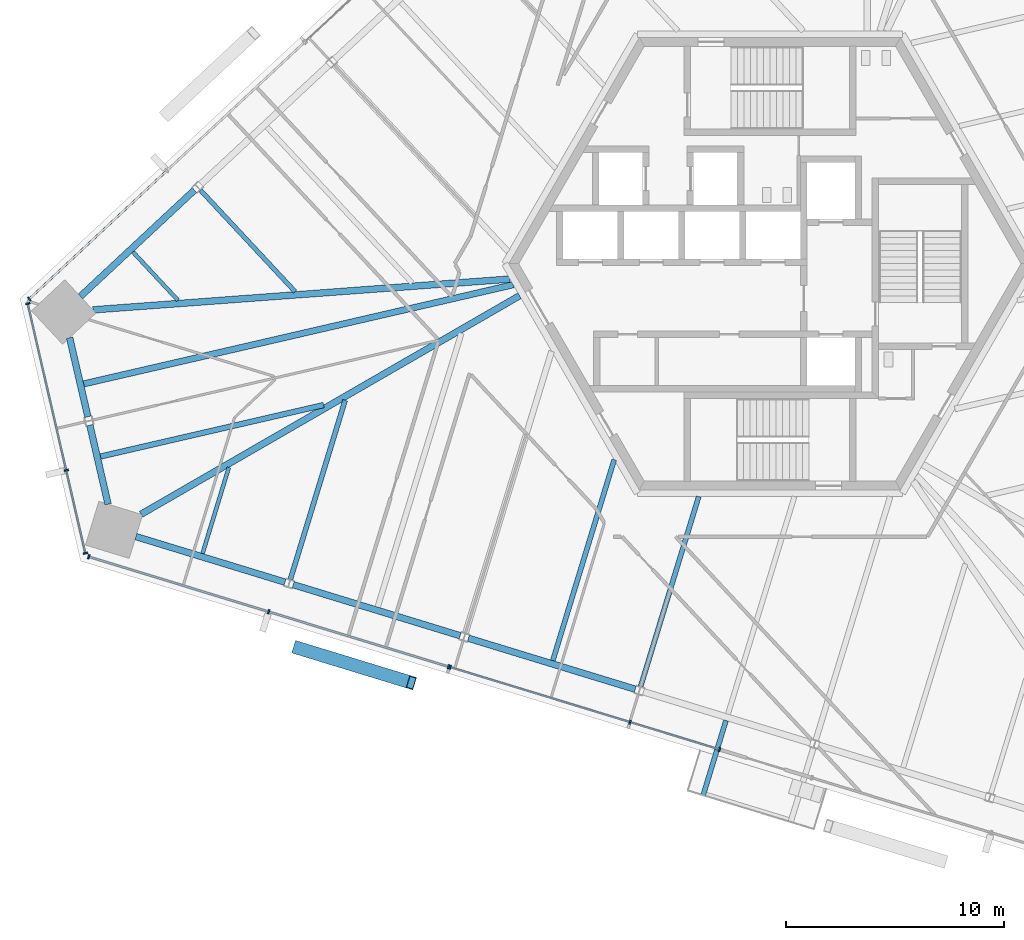
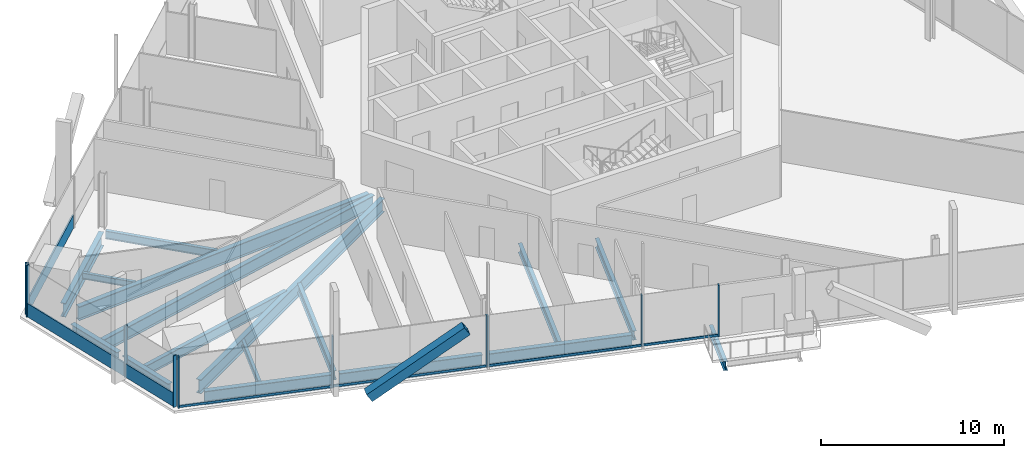
# One storey, part 4 of 23: 18 members, 17 beams, 4 elements without a shape of their own.
"""IFC4 building model written with IfcOpenShell, lengths in metres."""

from ifc_helpers import new_model, si_unit, direction, frame, origin, origin_2d, place, context, subcontext, project, spatial, rectangle, hollow_rectangle, i_section, extrude, source, transform, mapped, material, material_profile, profile_set, type_object, element, aggregate, save


model = new_model("IFC4")

# Units and contexts
model_context = context("Model", 3, precision=1e-05, world=origin(), true_north=direction((0.0, 1.0)))
body_context = subcontext(model_context, "Body", "Model", "MODEL_VIEW")
ifc_project = project(units=[si_unit("LENGTHUNIT", "METRE"), si_unit("AREAUNIT", "SQUARE_METRE"), si_unit("VOLUMEUNIT", "CUBIC_METRE"), si_unit("PLANEANGLEUNIT", "RADIAN"), si_unit("MASSUNIT", "GRAM", prefix="KILO")], contexts=[model_context])

# Site, building, storey
site_placement = place(None, origin())
site = spatial("IfcSite", under=ifc_project, at=site_placement, CompositionType="ELEMENT")
building_placement = place(site_placement, origin())
building = spatial("IfcBuilding", under=site, at=building_placement, Name="Triune Harvest Tower", CompositionType="ELEMENT")
storey_placement = place(building_placement, frame((0.0, 0.0, 105.5)))
storey = spatial("IfcBuildingStorey", under=building, at=storey_placement, Name="L26", CompositionType="ELEMENT", Elevation=105.5)

# Curtain wall, member
ifc_material_1 = material(Name="Aluminium bronze anodised", Category="aluminium")
curtain_wall_type_1 = type_object("IfcCurtainWallType", Name="CW-10 Balcony window wall with insulated spandrel infill", PredefinedType="NOTDEFINED", material=ifc_material_1)
curtain_wall_1_placement = place(storey_placement, origin())
curtain_wall_1 = element("IfcCurtainWall", 1, at=curtain_wall_1_placement, inside=storey, type_object=curtain_wall_type_1, Name="CW-10 B3-F5 L26 run 1")
ifc_material_2 = material(Name="Aluminium bronze anodised", Category="aluminium")
ifc_material_profile_1 = material_profile(ifc_material_2, rectangle(XDim=0.090087890625, YDim=0.14990234375, at=origin_2d()), Name="TR-6 transom 90 x 150")
ifc_profile_set_1 = profile_set([ifc_material_profile_1], Name="Aluminium bronze anodised")
member_type_1 = type_object("IfcMemberType", Name="TR-6 transom 90 x 150", PredefinedType="USERDEFINED", material=ifc_profile_set_1)
member_1_placement = place(storey_placement, frame((-22.994384765625, -16.00048828125, 0.074951171875), z_axis=(0.956306658837, -0.292365480628, 0.0), x_axis=(0.292365480628, 0.956306658837, 0.0)))
member_1 = element("IfcMember", 2, at=member_1_placement, type_object=member_type_1, Name="CW-10 transom B3-F5 1.2", ObjectType="TRANSOM", PredefinedType="USERDEFINED", context=body_context, shape_type="SweptSolid", body=[
    extrude(rectangle(XDim=0.090087890625, YDim=0.14990234375, at=origin_2d()), origin(), (0.0, 0.0, 1.0), 8.568359375),
])

# Beams
ifc_material_3 = material(Name="Steel ASTM A992 Gr 50", Category="steel")
ifc_material_profile_2 = material_profile(ifc_material_3, i_section(OverallWidth=0.3046875, OverallDepth=0.914306640625, WebThickness=0.0166015625, FlangeThickness=0.02587890625, at=origin_2d()), Name="W36x160")
ifc_profile_set_2 = profile_set([ifc_material_profile_2], Name="Steel ASTM A992 Gr 50")
beam_type_1 = type_object("IfcBeamType", Name="SB-1 Spandrel beam W36x160", PredefinedType="SPANDREL", material=ifc_profile_set_2)
shared_shape_1 = source(origin(), body_context, "Body", "SweptSolid", [
    extrude(i_section(OverallWidth=0.3046875, OverallDepth=0.914306640625, WebThickness=0.0166015625, FlangeThickness=0.02587890625, at=origin_2d()), origin(), (0.0, 0.0, 1.0), 8.018310546875),
])
beam_1_placement = place(storey_placement, frame((-21.8994140625, -14.747314453125, -0.6171875), z_axis=(0.956308069579, -0.292360866152, 0.0), x_axis=(0.292360866152, 0.956308069579, 0.0)))
element("IfcBeam", 3, at=beam_1_placement, inside=storey, type_object=beam_type_1, Name="beam/L26/SB18", PredefinedType="SPANDREL", context=body_context, shape_type="MappedRepresentation", body=[
    mapped(shared_shape_1, transform((0.0, 0.0, 0.0), scale=1.0)),
])
shared_shape_2 = source(origin(), body_context, "Body", "SweptSolid", [
    extrude(i_section(OverallWidth=0.3046875, OverallDepth=0.914306640625, WebThickness=0.0166015625, FlangeThickness=0.02587890625, at=origin_2d()), origin(), (0.0, 0.0, 1.0), 8.01806640625),
])
beam_2_placement = place(storey_placement, frame((-13.8525390625, -17.207275390625, -0.6171875), z_axis=(0.956305466934, -0.292369379231, 0.0), x_axis=(0.292369379231, 0.956305466934, 0.0)))
element("IfcBeam", 4, at=beam_2_placement, inside=storey, type_object=beam_type_1, Name="beam/L26/SB19", PredefinedType="SPANDREL", context=body_context, shape_type="MappedRepresentation", body=[
    mapped(shared_shape_2, transform((0.0, 0.0, 0.0), scale=1.0)),
])
shared_shape_3 = source(origin(), body_context, "Body", "SweptSolid", [
    extrude(i_section(OverallWidth=0.3046875, OverallDepth=0.914306640625, WebThickness=0.0166015625, FlangeThickness=0.02587890625, at=origin_2d()), origin(), (0.0, 0.0, 1.0), 7.16650390625),
])
for number, where, z_axis, x_axis, name in (
    (5, (-26.4375, 3.384521484375, -0.6171875), (-0.731357675554, -0.681994098515, 0.0), (0.681994098515, -0.731357675554, 0.0), "beam/L26/SB14"),
    (6, (-29.131591796875, -12.5361328125, -0.6171875), (0.956306336732, -0.292366534211, 0.0), (0.292366534211, 0.956306336732, 0.0), "beam/L26/SB17"),
):
    element("IfcBeam", number, at=place(storey_placement, frame(where, z_axis=z_axis, x_axis=x_axis)), inside=storey, type_object=beam_type_1, Name=name, PredefinedType="SPANDREL", context=body_context, shape_type="MappedRepresentation", body=[
        mapped(shared_shape_3, transform((0.0, 0.0, 0.0), scale=1.0)),
    ])
shared_shape_4 = source(origin(), body_context, "Body", "SweptSolid", [
    extrude(i_section(OverallWidth=0.3046875, OverallDepth=0.914306640625, WebThickness=0.0166015625, FlangeThickness=0.02587890625, at=origin_2d()), origin(), (0.0, 0.0, 1.0), 3.72607421875),
])
for number, where, z_axis, x_axis, name in (
    (7, (-32.173828125, -3.400390625, -0.6171875), (0.224936070713, -0.974373523908, 0.0), (0.974373523908, 0.224936070713, 0.0), "beam/L26/SB15"),
    (8, (-31.24658203125, -7.4169921875, -0.6171875), (0.224998275907, -0.974359161623, 0.0), (0.974359161623, 0.224998275907, 0.0), "beam/L26/SB16"),
):
    element("IfcBeam", number, at=place(storey_placement, frame(where, z_axis=z_axis, x_axis=x_axis)), inside=storey, type_object=beam_type_1, Name=name, PredefinedType="SPANDREL", context=body_context, shape_type="MappedRepresentation", body=[
        mapped(shared_shape_4, transform((0.0, 0.0, 0.0), scale=1.0)),
    ])
ifc_material_4 = material(Name="Steel ASTM A992 Gr 50", Category="steel")
ifc_material_profile_3 = material_profile(ifc_material_4, i_section(OverallWidth=0.307373046875, OverallDepth=0.922119140625, WebThickness=0.018310546875, FlangeThickness=0.030029296875, at=origin_2d()), Name="W36x182")
ifc_profile_set_3 = profile_set([ifc_material_profile_3], Name="Steel ASTM A992 Gr 50")
beam_type_2 = type_object("IfcBeamType", Name="HG-2 Hip girder W36x182", PredefinedType="BEAM", material=ifc_profile_set_3)
shared_shape_5 = source(origin(), body_context, "Body", "SweptSolid", [
    extrude(i_section(OverallWidth=0.307373046875, OverallDepth=0.922119140625, WebThickness=0.018310546875, FlangeThickness=0.030029296875, at=origin_2d()), origin(), (0.0, 0.0, 1.0), 19.2109375),
])
beam_3_placement = place(storey_placement, frame((-31.103515625, -2.119873046875, -0.62109375), z_axis=(0.997285410262, 0.07363294425, 0.0), x_axis=(-0.07363294425, 0.997285410262, 0.0)))
element("IfcBeam", 9, at=beam_3_placement, inside=storey, type_object=beam_type_2, Name="beam/L26/HG5", PredefinedType="BEAM", context=body_context, shape_type="MappedRepresentation", body=[
    mapped(shared_shape_5, transform((0.0, 0.0, 0.0), scale=1.0)),
])
shared_shape_6 = source(origin(), body_context, "Body", "SweptSolid", [
    extrude(i_section(OverallWidth=0.307373046875, OverallDepth=0.922119140625, WebThickness=0.018310546875, FlangeThickness=0.030029296875, at=origin_2d()), origin(), (0.0, 0.0, 1.0), 20.080078125),
])
beam_4_placement = place(storey_placement, frame((-28.892333984375, -11.51123046875, -0.62109375), z_axis=(0.866025837197, 0.499999249307, 0.0), x_axis=(-0.499999249307, 0.866025837197, 0.0)))
element("IfcBeam", 10, at=beam_4_placement, inside=storey, type_object=beam_type_2, Name="beam/L26/HG6", PredefinedType="BEAM", context=body_context, shape_type="MappedRepresentation", body=[
    mapped(shared_shape_6, transform((0.0, 0.0, 0.0), scale=1.0)),
])
ifc_material_5 = material(Name="Steel ASTM A992 Gr 50", Category="steel")
ifc_material_profile_4 = material_profile(ifc_material_5, i_section(OverallWidth=0.22900390625, OverallDepth=0.612060546875, WebThickness=0.011962890625, FlangeThickness=0.01953125, at=origin_2d()), Name="W24x84")
ifc_profile_set_4 = profile_set([ifc_material_profile_4], Name="Steel ASTM A992 Gr 50")
beam_type_3 = type_object("IfcBeamType", Name="JT-3 Floor joist W24x84", PredefinedType="JOIST", material=ifc_profile_set_4)
shared_shape_7 = source(origin(), body_context, "Body", "SweptSolid", [
    extrude(i_section(OverallWidth=0.22900390625, OverallDepth=0.612060546875, WebThickness=0.011962890625, FlangeThickness=0.01953125, at=origin_2d()), origin(), (0.0, 0.0, 1.0), 9.129150390625),
])
beam_5_placement = place(storey_placement, frame((-5.939453125, -19.42724609375, -0.466064453125), z_axis=(0.292356457167, 0.956309417476, 0.0), x_axis=(-0.956309417476, 0.292356457167, 0.0)))
element("IfcBeam", 11, at=beam_5_placement, inside=storey, type_object=beam_type_3, Name="beam/L26/JT32", PredefinedType="JOIST", context=body_context, shape_type="MappedRepresentation", body=[
    mapped(shared_shape_7, transform((0.0, 0.0, 0.0), scale=1.0)),
])
ifc_material_6 = material(Name="Steel ASTM A992 Gr 50", Category="steel")
ifc_material_profile_5 = material_profile(ifc_material_6, i_section(OverallWidth=0.180908203125, OverallDepth=0.41650390625, WebThickness=0.010986328125, FlangeThickness=0.01806640625, at=origin_2d()), Name="W16x57")
ifc_profile_set_5 = profile_set([ifc_material_profile_5], Name="Steel ASTM A992 Gr 50")
beam_type_4 = type_object("IfcBeamType", Name="JT-1 Floor joist W16x57", PredefinedType="JOIST", material=ifc_profile_set_5)
shared_shape_8 = source(origin(), body_context, "Body", "SweptSolid", [
    extrude(i_section(OverallWidth=0.180908203125, OverallDepth=0.41650390625, WebThickness=0.010986328125, FlangeThickness=0.01806640625, at=origin_2d()), origin(), (0.0, 0.0, 1.0), 3.0302734375),
])
beam_6_placement = place(storey_placement, frame((-29.265625, 0.538818359375, -0.368408203125), z_axis=(0.681982331581, -0.731368648091, 0.0), x_axis=(0.731368648091, 0.681982331581, 0.0)))
element("IfcBeam", 12, at=beam_6_placement, inside=storey, type_object=beam_type_4, Name="beam/L26/JT24", PredefinedType="JOIST", context=body_context, shape_type="MappedRepresentation", body=[
    mapped(shared_shape_8, transform((0.0, 0.0, 0.0), scale=1.0)),
])
shared_shape_9 = source(origin(), body_context, "Body", "SweptSolid", [
    extrude(i_section(OverallWidth=0.180908203125, OverallDepth=0.41650390625, WebThickness=0.010986328125, FlangeThickness=0.01806640625, at=origin_2d()), origin(), (0.0, 0.0, 1.0), 4.134033203125),
])
beam_7_placement = place(storey_placement, frame((-26.067626953125, -13.3134765625, -0.368408203125), z_axis=(0.29238807321, 0.956299751461, 0.0), x_axis=(-0.956299751461, 0.29238807321, 0.0)))
element("IfcBeam", 13, at=beam_7_placement, inside=storey, type_object=beam_type_4, Name="beam/L26/JT27", PredefinedType="JOIST", context=body_context, shape_type="MappedRepresentation", body=[
    mapped(shared_shape_9, transform((0.0, 0.0, 0.0), scale=1.0)),
])
shared_shape_10 = source(origin(), body_context, "Body", "SweptSolid", [
    extrude(i_section(OverallWidth=0.22900390625, OverallDepth=0.612060546875, WebThickness=0.011962890625, FlangeThickness=0.01953125, at=origin_2d()), origin(), (0.0, 0.0, 1.0), 8.607666015625),
])
beam_8_placement = place(storey_placement, frame((-22.033203125, -14.507080078125, -0.466064453125), z_axis=(0.29237129862, 0.956304880121, 0.0), x_axis=(-0.956304880121, 0.29237129862, 0.0)))
element("IfcBeam", 14, at=beam_8_placement, inside=storey, type_object=beam_type_3, Name="beam/L26/JT28", PredefinedType="JOIST", context=body_context, shape_type="MappedRepresentation", body=[
    mapped(shared_shape_10, transform((0.0, 0.0, 0.0), scale=1.0)),
])
shared_shape_11 = source(origin(), body_context, "Body", "SweptSolid", [
    extrude(i_section(OverallWidth=0.22900390625, OverallDepth=0.612060546875, WebThickness=0.011962890625, FlangeThickness=0.01953125, at=origin_2d()), origin(), (0.0, 0.0, 1.0), 9.64990234375),
])
beam_9_placement = place(storey_placement, frame((-9.97412109375, -18.233642578125, -0.466064453125), z_axis=(0.292387575984, 0.956299903488, 0.0), x_axis=(-0.956299903488, 0.292387575984, 0.0)))
element("IfcBeam", 15, at=beam_9_placement, inside=storey, type_object=beam_type_3, Name="beam/L26/JT31", PredefinedType="JOIST", context=body_context, shape_type="MappedRepresentation", body=[
    mapped(shared_shape_11, transform((0.0, 0.0, 0.0), scale=1.0)),
])
ifc_material_7 = material(Name="Steel ASTM A992 Gr 50", Category="steel")
ifc_material_profile_6 = material_profile(ifc_material_7, i_section(OverallWidth=0.2099609375, OverallDepth=0.535888671875, WebThickness=0.010986328125, FlangeThickness=0.017333984375, at=origin_2d()), Name="W21x68")
ifc_profile_set_6 = profile_set([ifc_material_profile_6], Name="Steel ASTM A992 Gr 50")
beam_type_5 = type_object("IfcBeamType", Name="JT-2 Floor joist W21x68", PredefinedType="JOIST", material=ifc_profile_set_6)
shared_shape_12 = source(origin(), body_context, "Body", "SweptSolid", [
    extrude(i_section(OverallWidth=0.2099609375, OverallDepth=0.535888671875, WebThickness=0.010986328125, FlangeThickness=0.017333984375, at=origin_2d()), origin(), (0.0, 0.0, 1.0), 6.3720703125),
])
beam_10_placement = place(storey_placement, frame((-26.16259765625, 3.380126953125, -0.427978515625), z_axis=(0.682001475832, -0.731350796105, 0.0), x_axis=(0.731350796105, 0.682001475832, 0.0)))
element("IfcBeam", 16, at=beam_10_placement, inside=storey, type_object=beam_type_5, Name="beam/L26/JT23", PredefinedType="JOIST", context=body_context, shape_type="MappedRepresentation", body=[
    mapped(shared_shape_12, transform((0.0, 0.0, 0.0), scale=1.0)),
])
ifc_material_8 = material(Name="Steel ASTM A992 Gr 50", Category="steel")
ifc_material_profile_7 = material_profile(ifc_material_8, i_section(OverallWidth=0.2919921875, OverallDepth=0.8583984375, WebThickness=0.01708984375, FlangeThickness=0.031005859375, at=origin_2d()), Name="W33x169")
ifc_profile_set_7 = profile_set([ifc_material_profile_7], Name="Steel ASTM A992 Gr 50")
beam_type_6 = type_object("IfcBeamType", Name="JT-7 Floor joist W33x169", PredefinedType="JOIST", material=ifc_profile_set_7)
shared_shape_13 = source(origin(), body_context, "Body", "SweptSolid", [
    extrude(i_section(OverallWidth=0.2919921875, OverallDepth=0.8583984375, WebThickness=0.01708984375, FlangeThickness=0.031005859375, at=origin_2d()), origin(), (0.0, 0.0, 1.0), 20.25244140625),
])
beam_11_placement = place(storey_placement, frame((-31.52783203125, -5.521484375, -0.58935546875), z_axis=(0.974371687507, 0.224944025448, 0.0), x_axis=(-0.224944025448, 0.974371687507, 0.0)))
element("IfcBeam", 17, at=beam_11_placement, inside=storey, type_object=beam_type_6, Name="beam/L26/JT25", PredefinedType="JOIST", context=body_context, shape_type="MappedRepresentation", body=[
    mapped(shared_shape_13, transform((0.0, 0.0, 0.0), scale=1.0)),
])
ifc_material_9 = material(Name="Steel ASTM A992 Gr 50", Category="steel")
ifc_material_profile_8 = material_profile(ifc_material_9, i_section(OverallWidth=0.253662109375, OverallDepth=0.683349609375, WebThickness=0.012451171875, FlangeThickness=0.01904296875, at=origin_2d()), Name="W27x94")
ifc_profile_set_8 = profile_set([ifc_material_profile_8], Name="Steel ASTM A992 Gr 50")
beam_type_7 = type_object("IfcBeamType", Name="JT-4 Floor joist W27x94", PredefinedType="JOIST", material=ifc_profile_set_8)
shared_shape_14 = source(origin(), body_context, "Body", "SweptSolid", [
    extrude(i_section(OverallWidth=0.253662109375, OverallDepth=0.683349609375, WebThickness=0.012451171875, FlangeThickness=0.01904296875, at=origin_2d()), origin(), (0.0, 0.0, 1.0), 10.52294921875),
])
beam_12_placement = place(storey_placement, frame((-30.75732421875, -8.858154296875, -0.501708984375), z_axis=(0.974368902387, 0.224956089186, 0.0), x_axis=(-0.224956089186, 0.974368902387, 0.0)))
element("IfcBeam", 18, at=beam_12_placement, inside=storey, type_object=beam_type_7, Name="beam/L26/JT26", PredefinedType="JOIST", context=body_context, shape_type="MappedRepresentation", body=[
    mapped(shared_shape_14, transform((0.0, 0.0, 0.0), scale=1.0)),
])

# Member
ifc_material_10 = material(Name="Steel ASTM A572 Gr 50", Category="steel")
ifc_material_profile_9 = material_profile(ifc_material_10, hollow_rectangle(XDim=0.60009765625, YDim=0.60009765625, WallThickness=0.0400390625, at=origin_2d()), Name="Box 600x600x40")
ifc_profile_set_9 = profile_set([ifc_material_profile_9], Name="Steel ASTM A572 Gr 50")
member_type_2 = type_object("IfcMemberType", Name="BR-2 Brace Box 600x600x40", PredefinedType="BRACE", material=ifc_profile_set_9)
shared_shape_15 = source(origin(), body_context, "Body", "SweptSolid", [
    extrude(hollow_rectangle(XDim=0.60009765625, YDim=0.60009765625, WallThickness=0.0400390625, at=origin_2d()), origin(), (0.0, 0.0, 1.0), 6.56640625),
])
member_2_placement = place(storey_placement, frame((-21.7255859375, -17.643310546875, 0.0), z_axis=(0.799775179898, -0.244494518293, 0.548253674993), x_axis=(0.292348421026, 0.956311874193, 0.0)))
element("IfcMember", 19, at=member_2_placement, inside=storey, type_object=member_type_2, Name="brace/B3-F5/d1/3", PredefinedType="BRACE", context=body_context, shape_type="MappedRepresentation", body=[
    mapped(shared_shape_15, transform((0.0, 0.0, 0.0), scale=1.0)),
])

# Curtain wall, member
ifc_material_11 = material(Name="Aluminium bronze anodised", Category="aluminium")
curtain_wall_type_2 = type_object("IfcCurtainWallType", Name="CW-7 Tower stick curtain wall with insulated spandrel infill", PredefinedType="NOTDEFINED", material=ifc_material_11)
curtain_wall_2_placement = place(storey_placement, origin())
curtain_wall_2 = element("IfcCurtainWall", 20, at=curtain_wall_2_placement, inside=storey, type_object=curtain_wall_type_2, Name="CW-7 B3-F3 L26 run 2001")
ifc_material_12 = material(Name="Aluminium bronze anodised", Category="aluminium")
ifc_material_profile_10 = material_profile(ifc_material_12, rectangle(XDim=0.199951171875, YDim=0.074951171875, at=origin_2d()), Name="MU-1 mullion 75 x 200")
ifc_profile_set_10 = profile_set([ifc_material_profile_10], Name="Aluminium bronze anodised")
member_type_3 = type_object("IfcMemberType", Name="MU-1 mullion 75 x 200", PredefinedType="MULLION", material=ifc_profile_set_10)
shared_shape_16 = source(origin(), body_context, "Body", "SweptSolid", [
    extrude(rectangle(XDim=0.199951171875, YDim=0.074951171875, at=origin_2d()), origin(), (0.0, 0.0, 1.0), 3.43994140625),
])
member_3_placement = place(storey_placement, frame((-34.0302734375, -1.619384765625, 0.0), z_axis=(0.0, 0.0, 1.0), x_axis=(0.681999137741, -0.731352976421, 0.0)))
member_3 = element("IfcMember", 21, at=member_3_placement, type_object=member_type_3, Name="CW-7 mullion B3-F3 2001.5", PredefinedType="MULLION", context=body_context, shape_type="MappedRepresentation", body=[
    mapped(shared_shape_16, transform((0.0, 0.0, 0.0), scale=1.0)),
])

# Curtain wall, members
ifc_material_13 = material(Name="Aluminium bronze anodised", Category="aluminium")
curtain_wall_type_3 = type_object("IfcCurtainWallType", Name="CW-1 Tower stick curtain wall", PredefinedType="NOTDEFINED", material=ifc_material_13)
curtain_wall_3_placement = place(storey_placement, origin())
curtain_wall_3 = element("IfcCurtainWall", 22, at=curtain_wall_3_placement, inside=storey, type_object=curtain_wall_type_3, Name="CW-1 B3-F4 L26 run 1")
member_4_placement = place(storey_placement, frame((-34.0947265625, -1.83056640625, 0.0), z_axis=(0.0, 0.0, 1.0), x_axis=(0.974371012181, 0.224946950683, 0.0)))
member_4 = element("IfcMember", 23, at=member_4_placement, type_object=member_type_3, Name="CW-1 mullion B3-F4 1.1", PredefinedType="MULLION", context=body_context, shape_type="MappedRepresentation", body=[
    mapped(shared_shape_16, transform((0.0, 0.0, 0.0), scale=1.0)),
])
member_5_placement = place(storey_placement, frame((-32.32666015625, -9.489501953125, 0.0), z_axis=(0.0, 0.0, 1.0), x_axis=(0.974371012181, 0.224946950683, 0.0)))
member_5 = element("IfcMember", 24, at=member_5_placement, type_object=member_type_3, Name="CW-1 mullion B3-F4 1.3", PredefinedType="MULLION", context=body_context, shape_type="MappedRepresentation", body=[
    mapped(shared_shape_16, transform((0.0, 0.0, 0.0), scale=1.0)),
])
member_6_placement = place(storey_placement, frame((-31.44677734375, -13.30078125, 0.0), z_axis=(0.0, 0.0, 1.0), x_axis=(0.974371012181, 0.224946950683, 0.0)))
member_6 = element("IfcMember", 25, at=member_6_placement, type_object=member_type_3, Name="CW-1 mullion B3-F4 1.4", PredefinedType="MULLION", context=body_context, shape_type="MappedRepresentation", body=[
    mapped(shared_shape_16, transform((0.0, 0.0, 0.0), scale=1.0)),
])

# Member
ifc_material_14 = material(Name="Aluminium bronze anodised", Category="aluminium")
ifc_material_profile_11 = material_profile(ifc_material_14, rectangle(XDim=0.199951171875, YDim=0.074951171875, at=origin_2d()), Name="MU-6 mullion 75 x 200")
ifc_profile_set_11 = profile_set([ifc_material_profile_11], Name="Aluminium bronze anodised")
member_type_4 = type_object("IfcMemberType", Name="MU-6 mullion 75 x 200", PredefinedType="MULLION", material=ifc_profile_set_11)
shared_shape_17 = source(origin(), body_context, "Body", "SweptSolid", [
    extrude(rectangle(XDim=0.199951171875, YDim=0.074951171875, at=origin_2d()), origin(), (0.0, 0.0, 1.0), 3.43994140625),
])
member_7_placement = place(storey_placement, frame((-31.296142578125, -13.462158203125, 0.0), z_axis=(0.0, 0.0, 1.0), x_axis=(0.292372106217, 0.956304633214, 0.0)))
member_7 = element("IfcMember", 26, at=member_7_placement, type_object=member_type_4, Name="CW-10 mullion B3-F5 1.1", PredefinedType="MULLION", context=body_context, shape_type="MappedRepresentation", body=[
    mapped(shared_shape_17, transform((0.0, 0.0, 0.0), scale=1.0)),
])

member_8_placement = place(storey_placement, frame((-23.0302734375, -15.989501953125, 0.0), z_axis=(0.0, 0.0, 1.0), x_axis=(0.292372106217, 0.956304633214, 0.0)))
member_8 = element("IfcMember", 27, at=member_8_placement, type_object=member_type_4, Name="CW-10 mullion B3-F5 1.3", PredefinedType="MULLION", context=body_context, shape_type="MappedRepresentation", body=[
    mapped(shared_shape_17, transform((0.0, 0.0, 0.0), scale=1.0)),
])

member_9_placement = place(storey_placement, frame((-14.764404296875, -18.5166015625, 0.0), z_axis=(0.0, 0.0, 1.0), x_axis=(0.292372106217, 0.956304633214, 0.0)))
member_9 = element("IfcMember", 28, at=member_9_placement, type_object=member_type_4, Name="CW-10 mullion B3-F5 1.5", PredefinedType="MULLION", context=body_context, shape_type="MappedRepresentation", body=[
    mapped(shared_shape_17, transform((0.0, 0.0, 0.0), scale=1.0)),
])

# Curtain wall, members
ifc_material_15 = material(Name="Aluminium bronze anodised", Category="aluminium")
curtain_wall_type_4 = type_object("IfcCurtainWallType", Name="CW-6 Balcony window wall", PredefinedType="NOTDEFINED", material=ifc_material_15)
curtain_wall_4_placement = place(storey_placement, origin())
curtain_wall_4 = element("IfcCurtainWall", 29, at=curtain_wall_4_placement, inside=storey, type_object=curtain_wall_type_4, Name="CW-6 B3-F5 L26 run 1001")
member_10_placement = place(storey_placement, frame((-14.692626953125, -18.53857421875, 0.0), z_axis=(0.0, 0.0, 1.0), x_axis=(0.29237518611, 0.956303691589, 0.0)))
member_10 = element("IfcMember", 30, at=member_10_placement, type_object=member_type_4, Name="CW-6 mullion B3-F5 1001.1", PredefinedType="MULLION", context=body_context, shape_type="MappedRepresentation", body=[
    mapped(shared_shape_17, transform((0.0, 0.0, 0.0), scale=1.0)),
])
member_11_placement = place(storey_placement, frame((-6.427001953125, -21.065673828125, 0.0), z_axis=(0.0, 0.0, 1.0), x_axis=(0.29237518611, 0.956303691589, 0.0)))
member_11 = element("IfcMember", 31, at=member_11_placement, type_object=member_type_4, Name="CW-6 mullion B3-F5 1001.3", PredefinedType="MULLION", context=body_context, shape_type="MappedRepresentation", body=[
    mapped(shared_shape_17, transform((0.0, 0.0, 0.0), scale=1.0)),
])
member_12_placement = place(storey_placement, frame((-2.31201171875, -22.32373046875, 0.0), z_axis=(0.0, 0.0, 1.0), x_axis=(0.29237518611, 0.956303691589, 0.0)))
member_12 = element("IfcMember", 32, at=member_12_placement, type_object=member_type_4, Name="CW-6 mullion B3-F5 1001.4", PredefinedType="MULLION", context=body_context, shape_type="MappedRepresentation", body=[
    mapped(shared_shape_17, transform((0.0, 0.0, 0.0), scale=1.0)),
])

# Beam
ifc_material_16 = material(Name="Steel ASTM A992 Gr 50", Category="steel")
ifc_material_profile_12 = material_profile(ifc_material_16, i_section(OverallWidth=0.22900390625, OverallDepth=0.612060546875, WebThickness=0.011962890625, FlangeThickness=0.01953125, at=origin_2d()), Name="W24x84")
ifc_profile_set_12 = profile_set([ifc_material_profile_12], Name="Steel ASTM A992 Gr 50")
beam_type_8 = type_object("IfcBeamType", Name="BJ-3 Balcony cantilever joist W24x84", PredefinedType="JOIST", material=ifc_profile_set_12)
shared_shape_18 = source(origin(), body_context, "Body", "SweptSolid", [
    extrude(i_section(OverallWidth=0.22900390625, OverallDepth=0.612060546875, WebThickness=0.011962890625, FlangeThickness=0.01953125, at=origin_2d()), origin(), (0.0, 0.0, 1.0), 3.59765625),
])
beam_13_placement = place(storey_placement, frame((-2.016357421875, -20.9853515625, -0.466064453125), z_axis=(-0.292349563537, -0.956311524923, 0.0), x_axis=(0.956311524923, -0.292349563537, 0.0)))
element("IfcBeam", 33, at=beam_13_placement, inside=storey, type_object=beam_type_8, Name="Balcony cantilever joist B3-F5 L26.8b", PredefinedType="JOIST", context=body_context, shape_type="MappedRepresentation", body=[
    mapped(shared_shape_18, transform((0.0, 0.0, 0.0), scale=1.0)),
])

# Member
ifc_material_17 = material(Name="Aluminium bronze anodised", Category="aluminium")
ifc_material_profile_13 = material_profile(ifc_material_17, rectangle(XDim=0.090087890625, YDim=0.89990234375, at=origin_2d()), Name="TR-1 transom 90 x 900")
ifc_profile_set_13 = profile_set([ifc_material_profile_13], Name="Aluminium bronze anodised")
member_type_5 = type_object("IfcMemberType", Name="TR-1 transom 90 x 900", PredefinedType="USERDEFINED", material=ifc_profile_set_13)
shared_shape_19 = source(origin(), body_context, "Body", "SweptSolid", [
    extrude(rectangle(XDim=0.090087890625, YDim=0.89990234375, at=origin_2d()), origin(), (0.0, 0.0, 1.0), 3.83642578125),
])
member_13_placement = place(storey_placement, frame((-32.318115234375, -9.526123046875, 0.449951171875), z_axis=(0.224901336827, -0.974381541642, 0.0), x_axis=(0.974381541642, 0.224901336827, 0.0)))
member_13 = element("IfcMember", 34, at=member_13_placement, type_object=member_type_5, Name="CW-1 transom B3-F4 1.2", ObjectType="TRANSOM", PredefinedType="USERDEFINED", context=body_context, shape_type="MappedRepresentation", body=[
    mapped(shared_shape_19, transform((0.0, 0.0, 0.0), scale=1.0)),
])

shared_shape_20 = source(origin(), body_context, "Body", "SweptSolid", [
    extrude(rectangle(XDim=0.090087890625, YDim=0.89990234375, at=origin_2d()), origin(), (0.0, 0.0, 1.0), 7.785400390625),
])
member_14_placement = place(storey_placement, frame((-34.08642578125, -1.8671875, 0.449951171875), z_axis=(0.22493508372, -0.974373751756, 0.0), x_axis=(0.974373751756, 0.22493508372, 0.0)))
member_14 = element("IfcMember", 35, at=member_14_placement, type_object=member_type_5, Name="CW-1 transom B3-F4 1.1", ObjectType="TRANSOM", PredefinedType="USERDEFINED", context=body_context, shape_type="MappedRepresentation", body=[
    mapped(shared_shape_20, transform((0.0, 0.0, 0.0), scale=1.0)),
])

aggregate(curtain_wall_3, [member_4, member_5, member_6, member_14, member_13])

shared_shape_21 = source(origin(), body_context, "Body", "SweptSolid", [
    extrude(rectangle(XDim=0.090087890625, YDim=0.89990234375, at=origin_2d()), origin(), (0.0, 0.0, 1.0), 8.564208984375),
])
member_15_placement = place(storey_placement, frame((-27.7392578125, 4.246826171875, 0.449951171875), z_axis=(-0.731376551527, -0.681973855713, 0.0), x_axis=(0.681973855713, -0.731376551527, 0.0)))
member_15 = element("IfcMember", 36, at=member_15_placement, type_object=member_type_5, Name="CW-7 transom B3-F3 2001.2", ObjectType="TRANSOM", PredefinedType="USERDEFINED", context=body_context, shape_type="MappedRepresentation", body=[
    mapped(shared_shape_21, transform((0.0, 0.0, 0.0), scale=1.0)),
])

aggregate(curtain_wall_2, [member_3, member_15])

shared_shape_22 = source(origin(), body_context, "Body", "SweptSolid", [
    extrude(rectangle(XDim=0.090087890625, YDim=0.14990234375, at=origin_2d()), origin(), (0.0, 0.0, 1.0), 8.568603515625),
])
member_16_placement = place(storey_placement, frame((-31.26025390625, -13.47314453125, 0.074951171875), z_axis=(0.956298692193, -0.292391537684, 0.0), x_axis=(0.292391537684, 0.956298692193, 0.0)))
member_16 = element("IfcMember", 37, at=member_16_placement, type_object=member_type_1, Name="CW-10 transom B3-F5 1.1", ObjectType="TRANSOM", PredefinedType="USERDEFINED", context=body_context, shape_type="MappedRepresentation", body=[
    mapped(shared_shape_22, transform((0.0, 0.0, 0.0), scale=1.0)),
])

aggregate(curtain_wall_1, [member_7, member_8, member_9, member_16, member_1])

member_17_placement = place(storey_placement, frame((-14.656982421875, -18.54931640625, 0.074951171875), z_axis=(0.956298692193, -0.292391537684, 0.0), x_axis=(0.292391537684, 0.956298692193, 0.0)))
member_17 = element("IfcMember", 38, at=member_17_placement, type_object=member_type_1, Name="CW-6 transom B3-F5 1001.1", ObjectType="TRANSOM", PredefinedType="USERDEFINED", context=body_context, shape_type="MappedRepresentation", body=[
    mapped(shared_shape_22, transform((0.0, 0.0, 0.0), scale=1.0)),
])

shared_shape_23 = source(origin(), body_context, "Body", "SweptSolid", [
    extrude(rectangle(XDim=0.090087890625, YDim=0.14990234375, at=origin_2d()), origin(), (0.0, 0.0, 1.0), 4.22802734375),
])
member_18_placement = place(storey_placement, frame((-6.39111328125, -21.07666015625, 0.074951171875), z_axis=(0.956308078832, -0.292360835887, 0.0), x_axis=(0.292360835887, 0.956308078832, 0.0)))
member_18 = element("IfcMember", 39, at=member_18_placement, type_object=member_type_1, Name="CW-6 transom B3-F5 1001.2", ObjectType="TRANSOM", PredefinedType="USERDEFINED", context=body_context, shape_type="MappedRepresentation", body=[
    mapped(shared_shape_23, transform((0.0, 0.0, 0.0), scale=1.0)),
])

aggregate(curtain_wall_4, [member_10, member_11, member_12, member_17, member_18])

save(model, "model.ifc")
